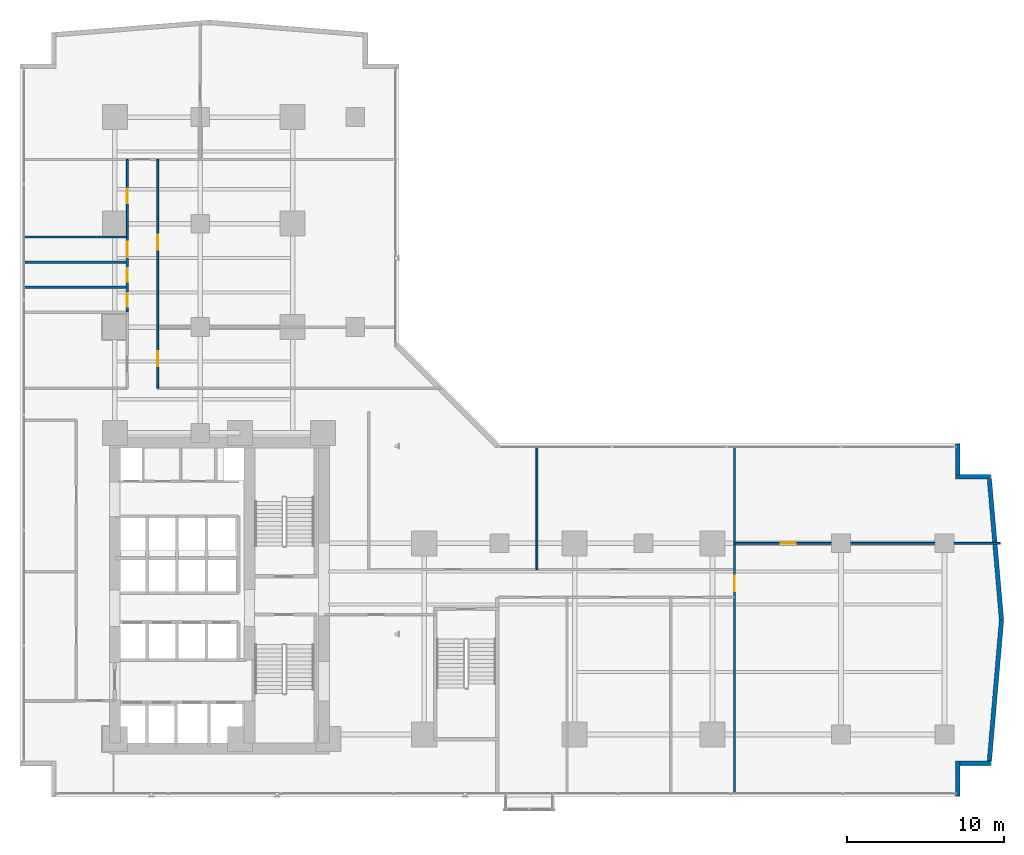
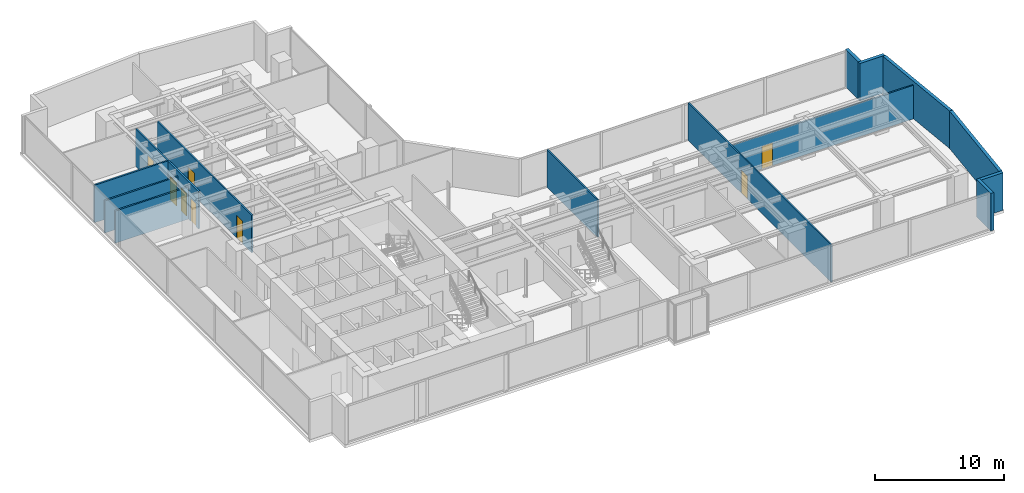
# One storey, part 25 of 31: 15 walls, 8 doors, 8 openings.
"""IFC4 building model written with IfcOpenShell, lengths in metres."""

from ifc_helpers import new_model, si_unit, direction, frame, frame_2d, origin, place, context, subcontext, project, spatial, rectangle, extrude, material, layer, layer_set, type_object, element, fill, save


model = new_model("IFC4")

# Units and contexts
model_context = context("Model", 3, precision=1e-05, world=origin(), true_north=direction((0.0, 1.0)))
body_context = subcontext(model_context, "Body", "Model", "MODEL_VIEW")
ifc_project = project(units=[si_unit("LENGTHUNIT", "METRE"), si_unit("AREAUNIT", "SQUARE_METRE"), si_unit("VOLUMEUNIT", "CUBIC_METRE"), si_unit("PLANEANGLEUNIT", "RADIAN"), si_unit("MASSUNIT", "GRAM", prefix="KILO")], contexts=[model_context])

# Site, building, storey
site_placement = place(None, origin())
site = spatial("IfcSite", under=ifc_project, at=site_placement, CompositionType="ELEMENT")
building_placement = place(site_placement, origin())
building = spatial("IfcBuilding", under=site, at=building_placement, Name="Kolvaren Waterfront Exchange", CompositionType="ELEMENT")
storey_placement = place(building_placement, frame((0.0, 0.0, 67.60009765625)))
storey = spatial("IfcBuildingStorey", under=building, at=storey_placement, Name="L17", CompositionType="ELEMENT", Elevation=67.60009765625)

# Walls
ifc_material_1 = material(Name="Precast concrete C40/50", Category="concrete")
ifc_layer_1 = layer(ifc_material_1, 0.280029296875, Name="Precast concrete C40/50")
ifc_layer_set_1 = layer_set([ifc_layer_1], Name="Precast concrete C40/50")
wall_type_1 = type_object("IfcWallType", Name="ARC-EXT-TERR-280", PredefinedType="SOLIDWALL", material=ifc_layer_set_1)
wall_1_placement = place(storey_placement, frame((61.239990234375, 1.260009765625, 0.0), z_axis=(0.0, 0.0, 1.0), x_axis=(0.0, 1.0, 0.0)))
element("IfcWall", 1, at=wall_1_placement, inside=storey, type_object=wall_type_1, Name="L17 notched corner spandrel pier SE-A", PredefinedType="SOLIDWALL", context=body_context, shape_type="SweptSolid", body=[
    extrude(rectangle(XDim=2.239990234375, YDim=0.280029296875, at=frame_2d((1.1201171875, 0.0))), origin(), (0.0, 0.0, 1.0), 3.539794921875),
])
wall_2_placement = place(storey_placement, frame((61.3798828125, 3.360107421875, 0.0), z_axis=(0.0, 0.0, 1.0), x_axis=(1.0, 0.0, 0.0)))
element("IfcWall", 2, at=wall_2_placement, inside=storey, type_object=wall_type_1, Name="L17 notched corner spandrel pier SE-B", PredefinedType="SOLIDWALL", context=body_context, shape_type="SweptSolid", body=[
    extrude(rectangle(XDim=1.960205078125, YDim=0.280029296875, at=frame_2d((0.97998046875, 0.0))), origin(), (0.0, 0.0, 1.0), 3.539794921875),
])
wall_3_placement = place(storey_placement, frame((61.239990234375, 21.764892578125, 0.0), z_axis=(0.0, 0.0, 1.0), x_axis=(0.0, 1.0, 0.0)))
element("IfcWall", 3, at=wall_3_placement, inside=storey, type_object=wall_type_1, Name="L17 notched corner spandrel pier ENE-A", PredefinedType="SOLIDWALL", context=body_context, shape_type="SweptSolid", body=[
    extrude(rectangle(XDim=1.97509765625, YDim=0.280029296875, at=frame_2d((0.987548828125, 0.0))), origin(), (0.0, 0.0, 1.0), 3.539794921875),
])
wall_4_placement = place(storey_placement, frame((61.10009765625, 21.639892578125, 0.0), z_axis=(0.0, 0.0, 1.0), x_axis=(1.0, 0.0, 0.0)))
element("IfcWall", 4, at=wall_4_placement, inside=storey, type_object=wall_type_1, Name="L17 notched corner spandrel pier ENE-B", PredefinedType="SOLIDWALL", context=body_context, shape_type="SweptSolid", body=[
    extrude(rectangle(XDim=2.239990234375, YDim=0.280029296875, at=frame_2d((1.1201171875, 0.0))), origin(), (0.0, 0.0, 1.0), 3.539794921875),
])
for number, where, z_axis, x_axis, name in (
    (5, (63.266357421875, 3.5126953125, 0.0), (0.0, 0.0, 1.0), (0.085692274626, 0.996321651912, 0.0), "L17 east prow faceted facade wall 1"),
    (6, (64.038818359375, 12.506103515625, 0.0), (0.0, 0.0, 1.0), (-0.085692274626, 0.996321651912, 0.0), "L17 east prow faceted facade wall 2"),
):
    element("IfcWall", number, at=place(storey_placement, frame(where, z_axis=z_axis, x_axis=x_axis)), inside=storey, type_object=wall_type_1, Name=name, PredefinedType="SOLIDWALL", context=body_context, shape_type="SweptSolid", body=[
        extrude(rectangle(XDim=9.014404296875, YDim=0.280029296875, at=frame_2d((4.50732421875, 0.0))), origin(), (0.0, 0.0, 1.0), 3.539794921875),
    ])

# Wall, opening, door
ifc_material_2 = material(Name="Acoustic gypsum steel stud", Category="steel")
ifc_layer_2 = layer(ifc_material_2, 0.125, Name="Acoustic gypsum steel stud")
ifc_layer_set_2 = layer_set([ifc_layer_2], Name="Acoustic gypsum steel stud")
wall_type_2 = type_object("IfcWallType", Name="ARC-PART-125", PredefinedType="PARTITIONING", material=ifc_layer_set_2)
wall_5_placement = place(storey_placement, frame((47.0, 1.43994140625, 0.0), z_axis=(0.0, 0.0, 1.0), x_axis=(0.0, 1.0, 0.0)))
wall_5 = element("IfcWall", 7, at=wall_5_placement, inside=storey, type_object=wall_type_2, Name="L17 interior wall PW-L17-ETIP-W", PredefinedType="PARTITIONING", context=body_context, shape_type="SweptSolid", body=[
    extrude(rectangle(XDim=22.1201171875, YDim=0.125, at=frame_2d((11.06005859375, 0.0))), origin(), (0.0, 0.0, 1.0), 3.539794921875),
])
opening_1_placement = place(wall_5_placement, frame((12.89990234375, 0.0, 0.0)))
opening_1 = element("IfcOpeningElement", 8, at=opening_1_placement, cuts=wall_5, Name="Opening D03", PredefinedType="OPENING", context=body_context, shape_type="SweptSolid", body=[
    extrude(rectangle(XDim=1.0, YDim=2.199951171875, at=frame_2d((0.5, 1.10009765625))), frame((0.0, 0.072509765625, 0.0), z_axis=(0.0, -1.0, 0.0), x_axis=(1.0, 0.0, 0.0)), (0.0, 0.0, 1.0), 0.14501953125),
])
ifc_material_3 = material(Name="Oak veneer accessible timber", Category="wood")
door_type_1 = type_object("IfcDoorType", Name="ARC-DR-1000", OperationType="NOTDEFINED", PredefinedType="DOOR", material=ifc_material_3)
door_1_placement = place(opening_1_placement, origin())
door_1 = element("IfcDoor", 9, at=door_1_placement, inside=storey, type_object=door_type_1, Name="L17 door DR-L17-ETIP1-D (D03)", OperationType="SINGLE_SWING_LEFT", OverallHeight=2.199951171875, OverallWidth=1.0, PredefinedType="DOOR", context=body_context, shape_type="SweptSolid", body=[
    extrude(rectangle(XDim=1.0, YDim=2.199951171875, at=frame_2d((0.5, 1.10009765625))), frame((0.0, 0.02490234375, 0.0), z_axis=(0.0, -1.0, 0.0), x_axis=(1.0, 0.0, 0.0)), (0.0, 0.0, 1.0), 0.050048828125),
])
fill(opening_1, door_1)

wall_6_placement = place(storey_placement, frame((47.0, 17.39990234375, 0.0), z_axis=(0.0, 0.0, 1.0), x_axis=(1.0, 0.0, 0.0)))
wall_6 = element("IfcWall", 10, at=wall_6_placement, inside=storey, type_object=wall_type_2, Name="L17 interior wall PW-L17-ETIP-MID", PredefinedType="PARTITIONING", context=body_context, shape_type="SweptSolid", body=[
    extrude(rectangle(XDim=16.9599609375, YDim=0.125, at=frame_2d((8.47998046875, 0.0))), origin(), (0.0, 0.0, 1.0), 3.179931640625),
])
opening_2_placement = place(wall_6_placement, frame((2.949951171875, 0.0, 0.0)))
opening_2 = element("IfcOpeningElement", 11, at=opening_2_placement, cuts=wall_6, Name="Opening D02", PredefinedType="OPENING", context=body_context, shape_type="SweptSolid", body=[
    extrude(rectangle(XDim=0.949951171875, YDim=2.14990234375, at=frame_2d((0.47509765625, 1.074951171875))), frame((0.0, 0.072509765625, 0.0), z_axis=(0.0, -1.0, 0.0), x_axis=(1.0, 0.0, 0.0)), (0.0, 0.0, 1.0), 0.14501953125),
])
ifc_material_4 = material(Name="Oak veneer acoustic timber", Category="wood")
door_type_2 = type_object("IfcDoorType", Name="ARC-DR-950", OperationType="NOTDEFINED", PredefinedType="DOOR", material=ifc_material_4)
door_2_placement = place(opening_2_placement, origin())
door_2 = element("IfcDoor", 12, at=door_2_placement, inside=storey, type_object=door_type_2, Name="L17 door DR-L17-ETIP2-D (D02)", OperationType="SINGLE_SWING_RIGHT", OverallHeight=2.14990234375, OverallWidth=0.949951171875, PredefinedType="DOOR", context=body_context, shape_type="SweptSolid", body=[
    extrude(rectangle(XDim=0.949951171875, YDim=2.14990234375, at=frame_2d((0.47509765625, 1.074951171875))), frame((0.0, 0.02490234375, 0.0), z_axis=(0.0, -1.0, 0.0), x_axis=(1.0, 0.0, 0.0)), (0.0, 0.0, 1.0), 0.050048828125),
])
fill(opening_2, door_2)

# Wall
wall_7_placement = place(storey_placement, frame((34.389892578125, 15.72998046875, 0.0), z_axis=(0.0, 0.0, 1.0), x_axis=(0.0, 1.0, 0.0)))
element("IfcWall", 13, at=wall_7_placement, inside=storey, type_object=wall_type_2, Name="L17 interior wall PW-L17-EN-DIV-1", PredefinedType="PARTITIONING", context=body_context, shape_type="SweptSolid", body=[
    extrude(rectangle(XDim=7.830078125, YDim=0.125, at=frame_2d((3.9150390625, 0.0))), origin(), (0.0, 0.0, 1.0), 3.539794921875),
])

# Wall, opening, door
wall_8_placement = place(storey_placement, frame((8.25, 36.949951171875, 0.0), z_axis=(0.0, 0.0, 1.0), x_axis=(0.0, 1.0, 0.0)))
wall_8 = element("IfcWall", 14, at=wall_8_placement, inside=storey, type_object=wall_type_2, Name="L17 interior wall PW-L17-NW-CORR", PredefinedType="PARTITIONING", context=body_context, shape_type="SweptSolid", body=[
    extrude(rectangle(XDim=4.949951171875, YDim=0.125, at=frame_2d((2.47509765625, 0.0))), origin(), (0.0, 0.0, 1.0), 3.539794921875),
])
opening_3_placement = place(wall_8_placement, frame((2.1455078125, 0.0, 0.0)))
opening_3 = element("IfcOpeningElement", 15, at=opening_3_placement, cuts=wall_8, Name="Opening D02", PredefinedType="OPENING", context=body_context, shape_type="SweptSolid", body=[
    extrude(rectangle(XDim=0.949951171875, YDim=2.14990234375, at=frame_2d((0.47509765625, 1.074951171875))), frame((0.0, 0.072509765625, 0.0), z_axis=(0.0, -1.0, 0.0), x_axis=(1.0, 0.0, 0.0)), (0.0, 0.0, 1.0), 0.14501953125),
])
door_3_placement = place(opening_3_placement, origin())
door_3 = element("IfcDoor", 16, at=door_3_placement, inside=storey, type_object=door_type_2, Name="L17 door DR-L17-NW-D-1 (D02)", OperationType="SINGLE_SWING_LEFT", OverallHeight=2.14990234375, OverallWidth=0.949951171875, PredefinedType="DOOR", context=body_context, shape_type="SweptSolid", body=[
    extrude(rectangle(XDim=0.949951171875, YDim=2.14990234375, at=frame_2d((0.47509765625, 1.074951171875))), frame((0.0, 0.02490234375, 0.0), z_axis=(0.0, -1.0, 0.0), x_axis=(1.0, 0.0, 0.0)), (0.0, 0.0, 1.0), 0.050048828125),
])
fill(opening_3, door_3)

# Wall, openings, doors
wall_9_placement = place(storey_placement, frame((10.18994140625, 27.300048828125, 0.0), z_axis=(0.0, 0.0, 1.0), x_axis=(0.0, 1.0, 0.0)))
wall_9 = element("IfcWall", 17, at=wall_9_placement, inside=storey, type_object=wall_type_2, Name="L17 interior wall PW-L17-NE-CORR", PredefinedType="PARTITIONING", context=body_context, shape_type="SweptSolid", body=[
    extrude(rectangle(XDim=14.599853515625, YDim=0.125, at=frame_2d((7.2998046875, 0.0))), origin(), (0.0, 0.0, 1.0), 3.539794921875),
])
opening_4_placement = place(wall_9_placement, frame((1.4033203125, 0.0, 0.0)))
opening_4 = element("IfcOpeningElement", 18, at=opening_4_placement, cuts=wall_9, Name="Opening D02", PredefinedType="OPENING", context=body_context, shape_type="SweptSolid", body=[
    extrude(rectangle(XDim=0.949951171875, YDim=2.14990234375, at=frame_2d((0.47509765625, 1.074951171875))), frame((0.0, 0.072509765625, 0.0), z_axis=(0.0, -1.0, 0.0), x_axis=(1.0, 0.0, 0.0)), (0.0, 0.0, 1.0), 0.14501953125),
])
opening_5_placement = place(wall_9_placement, frame((8.845947265625, 0.0, 0.0)))
opening_5 = element("IfcOpeningElement", 19, at=opening_5_placement, cuts=wall_9, Name="Opening D02", PredefinedType="OPENING", context=body_context, shape_type="SweptSolid", body=[
    extrude(rectangle(XDim=0.949951171875, YDim=2.14990234375, at=frame_2d((0.47509765625, 1.074951171875))), frame((0.0, 0.072509765625, 0.0), z_axis=(0.0, -1.0, 0.0), x_axis=(1.0, 0.0, 0.0)), (0.0, 0.0, 1.0), 0.14501953125),
])
door_4_placement = place(opening_4_placement, origin())
door_4 = element("IfcDoor", 20, at=door_4_placement, inside=storey, type_object=door_type_2, Name="L17 door DR-L17-NE-D-1 (D02)", OperationType="SINGLE_SWING_RIGHT", OverallHeight=2.14990234375, OverallWidth=0.949951171875, PredefinedType="DOOR", context=body_context, shape_type="SweptSolid", body=[
    extrude(rectangle(XDim=0.949951171875, YDim=2.14990234375, at=frame_2d((0.47509765625, 1.074951171875))), frame((0.0, 0.02490234375, 0.0), z_axis=(0.0, -1.0, 0.0), x_axis=(1.0, 0.0, 0.0)), (0.0, 0.0, 1.0), 0.050048828125),
])
fill(opening_4, door_4)
door_5_placement = place(opening_5_placement, origin())
door_5 = element("IfcDoor", 21, at=door_5_placement, inside=storey, type_object=door_type_2, Name="L17 door DR-L17-NE-D-2 (D02)", OperationType="SINGLE_SWING_LEFT", OverallHeight=2.14990234375, OverallWidth=0.949951171875, PredefinedType="DOOR", context=body_context, shape_type="SweptSolid", body=[
    extrude(rectangle(XDim=0.949951171875, YDim=2.14990234375, at=frame_2d((0.47509765625, 1.074951171875))), frame((0.0, 0.02490234375, 0.0), z_axis=(0.0, -1.0, 0.0), x_axis=(1.0, 0.0, 0.0)), (0.0, 0.0, 1.0), 0.050048828125),
])
fill(opening_5, door_5)

ifc_material_5 = material(Name="Moisture-resistant gypsum stud")
ifc_layer_3 = layer(ifc_material_5, 0.14990234375, Name="Moisture-resistant gypsum stud")
ifc_layer_set_3 = layer_set([ifc_layer_3], Name="Moisture-resistant gypsum stud")
wall_type_3 = type_object("IfcWallType", Name="ARC-PLUMB-150", PredefinedType="PLUMBINGWALL", material=ifc_layer_set_3)
wall_10_placement = place(storey_placement, frame((8.25, 32.14990234375, 0.0), z_axis=(0.0, 0.0, 1.0), x_axis=(0.0, 1.0, 0.0)))
wall_10 = element("IfcWall", 22, at=wall_10_placement, inside=storey, type_object=wall_type_3, Name="L17 interior wall PW-L17-WC-E", PredefinedType="PLUMBINGWALL", context=body_context, shape_type="SweptSolid", body=[
    extrude(rectangle(XDim=4.800048828125, YDim=0.14990234375, at=frame_2d((2.39990234375, 0.0))), origin(), (0.0, 0.0, 1.0), 3.539794921875),
])
opening_6_placement = place(wall_10_placement, frame((0.35009765625, 0.0, 0.0)))
opening_6 = element("IfcOpeningElement", 23, at=opening_6_placement, cuts=wall_10, Name="Opening D01", PredefinedType="OPENING", context=body_context, shape_type="SweptSolid", body=[
    extrude(rectangle(XDim=0.85009765625, YDim=2.14990234375, at=frame_2d((0.425048828125, 1.074951171875))), frame((0.0, 0.0849609375, 0.0), z_axis=(0.0, -1.0, 0.0), x_axis=(1.0, 0.0, 0.0)), (0.0, 0.0, 1.0), 0.169921875),
])
opening_7_placement = place(wall_10_placement, frame((1.949951171875, 0.0, 0.0)))
opening_7 = element("IfcOpeningElement", 24, at=opening_7_placement, cuts=wall_10, Name="Opening D01", PredefinedType="OPENING", context=body_context, shape_type="SweptSolid", body=[
    extrude(rectangle(XDim=0.85009765625, YDim=2.14990234375, at=frame_2d((0.425048828125, 1.074951171875))), frame((0.0, 0.0849609375, 0.0), z_axis=(0.0, -1.0, 0.0), x_axis=(1.0, 0.0, 0.0)), (0.0, 0.0, 1.0), 0.169921875),
])
opening_8_placement = place(wall_10_placement, frame((3.5, 0.0, 0.0)))
opening_8 = element("IfcOpeningElement", 25, at=opening_8_placement, cuts=wall_10, Name="Opening D03", PredefinedType="OPENING", context=body_context, shape_type="SweptSolid", body=[
    extrude(rectangle(XDim=1.0, YDim=2.199951171875, at=frame_2d((0.5, 1.10009765625))), frame((0.0, 0.0849609375, 0.0), z_axis=(0.0, -1.0, 0.0), x_axis=(1.0, 0.0, 0.0)), (0.0, 0.0, 1.0), 0.169921875),
])
door_6_placement = place(opening_8_placement, origin())
door_6 = element("IfcDoor", 26, at=door_6_placement, inside=storey, type_object=door_type_1, Name="L17 door DR-L17-WCA-D (D03)", OperationType="SINGLE_SWING_LEFT", OverallHeight=2.199951171875, OverallWidth=1.0, PredefinedType="DOOR", context=body_context, shape_type="SweptSolid", body=[
    extrude(rectangle(XDim=1.0, YDim=2.199951171875, at=frame_2d((0.5, 1.10009765625))), frame((0.0, 0.02490234375, 0.0), z_axis=(0.0, -1.0, 0.0), x_axis=(1.0, 0.0, 0.0)), (0.0, 0.0, 1.0), 0.050048828125),
])
fill(opening_8, door_6)
ifc_material_6 = material(Name="Oak veneer timber leaf", Category="wood")
door_type_3 = type_object("IfcDoorType", Name="ARC-DR-900", OperationType="NOTDEFINED", PredefinedType="DOOR", material=ifc_material_6)
door_7_placement = place(opening_6_placement, origin())
door_7 = element("IfcDoor", 27, at=door_7_placement, inside=storey, type_object=door_type_3, Name="L17 door DR-L17-WCM-D (D01)", OperationType="SINGLE_SWING_LEFT", OverallHeight=2.14990234375, OverallWidth=0.85009765625, PredefinedType="DOOR", context=body_context, shape_type="SweptSolid", body=[
    extrude(rectangle(XDim=0.85009765625, YDim=2.14990234375, at=frame_2d((0.425048828125, 1.074951171875))), frame((0.0, 0.02490234375, 0.0), z_axis=(0.0, -1.0, 0.0), x_axis=(1.0, 0.0, 0.0)), (0.0, 0.0, 1.0), 0.050048828125),
])
fill(opening_6, door_7)
door_8_placement = place(opening_7_placement, origin())
door_8 = element("IfcDoor", 28, at=door_8_placement, inside=storey, type_object=door_type_3, Name="L17 door DR-L17-WCF-D (D01)", OperationType="SINGLE_SWING_RIGHT", OverallHeight=2.14990234375, OverallWidth=0.85009765625, PredefinedType="DOOR", context=body_context, shape_type="SweptSolid", body=[
    extrude(rectangle(XDim=0.85009765625, YDim=2.14990234375, at=frame_2d((0.425048828125, 1.074951171875))), frame((0.0, 0.02490234375, 0.0), z_axis=(0.0, -1.0, 0.0), x_axis=(1.0, 0.0, 0.0)), (0.0, 0.0, 1.0), 0.050048828125),
])
fill(opening_7, door_8)

# Walls
for number, where, z_axis, x_axis, name in (
    (29, (1.639892578125, 33.75, 0.0), (0.0, 0.0, 1.0), (1.0, 0.0, 0.0), "L17 interior wall PW-L17-WC-1"),
    (30, (1.639892578125, 35.35009765625, 0.0), (0.0, 0.0, 1.0), (1.0, 0.0, 0.0), "L17 interior wall PW-L17-WC-2"),
):
    element("IfcWall", number, at=place(storey_placement, frame(where, z_axis=z_axis, x_axis=x_axis)), inside=storey, type_object=wall_type_3, Name=name, PredefinedType="PLUMBINGWALL", context=body_context, shape_type="SweptSolid", body=[
        extrude(rectangle(XDim=6.610107421875, YDim=0.14990234375, at=frame_2d((3.30517578125, 0.0))), origin(), (0.0, 0.0, 1.0), 3.039794921875),
    ])
wall_11_placement = place(storey_placement, frame((1.639892578125, 36.949951171875, 0.0), z_axis=(0.0, 0.0, 1.0), x_axis=(1.0, 0.0, 0.0)))
element("IfcWall", 31, at=wall_11_placement, inside=storey, type_object=wall_type_3, Name="L17 interior wall PW-L17-WC-3", PredefinedType="PLUMBINGWALL", context=body_context, shape_type="SweptSolid", body=[
    extrude(rectangle(XDim=6.610107421875, YDim=0.14990234375, at=frame_2d((3.30517578125, 0.0))), origin(), (0.0, 0.0, 1.0), 3.539794921875),
])

save(model, "model.ifc")
